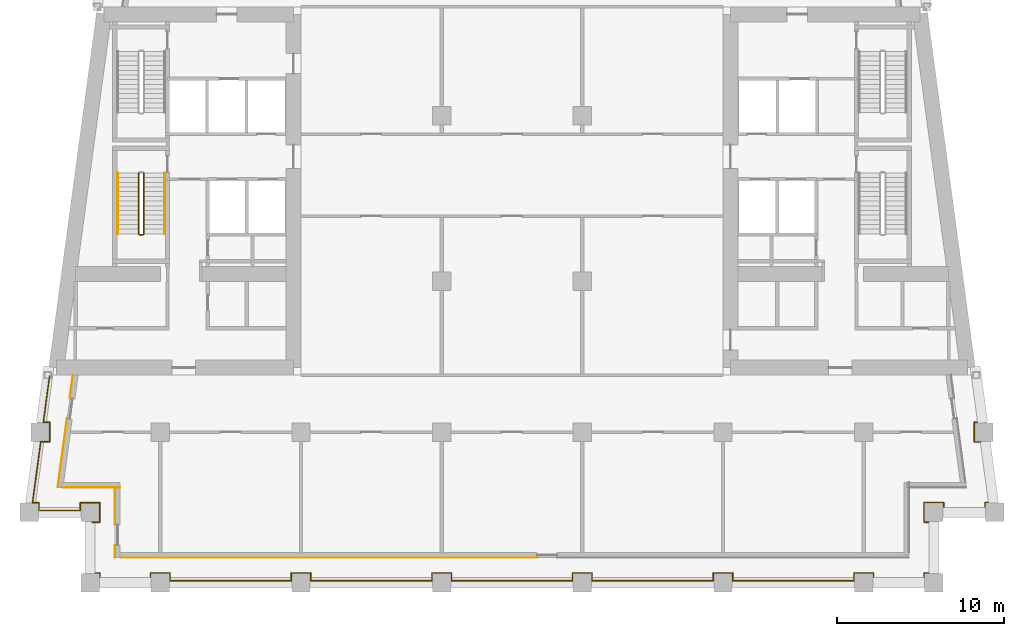
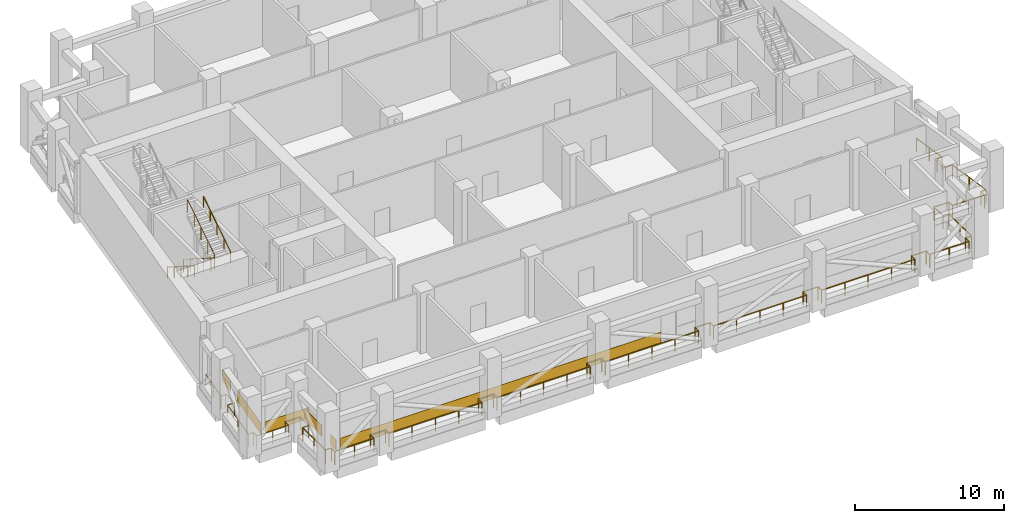
# One storey, part 9 of 12: 6 coverings, 5 railings.
"""IFC4 building model written with IfcOpenShell, lengths in metres."""

from ifc_helpers import new_model, si_unit, direction, frame, origin, origin_2d, place, context, subcontext, project, spatial, rectangle, circle, extrude, material, layer, layer_set, type_object, element, save


model = new_model("IFC4")

# Units and contexts
model_context = context("Model", 3, precision=1e-05, world=origin(), true_north=direction((0.0, 1.0)))
body_context = subcontext(model_context, "Body", "Model", "MODEL_VIEW")
ifc_project = project(units=[si_unit("LENGTHUNIT", "METRE"), si_unit("AREAUNIT", "SQUARE_METRE"), si_unit("VOLUMEUNIT", "CUBIC_METRE"), si_unit("PLANEANGLEUNIT", "RADIAN"), si_unit("MASSUNIT", "GRAM", prefix="KILO")], contexts=[model_context])

# Site, building, storey
site_placement = place(None, origin())
site = spatial("IfcSite", under=ifc_project, at=site_placement, CompositionType="ELEMENT")
building_placement = place(site_placement, origin())
building = spatial("IfcBuilding", under=site, at=building_placement, Name="Candeia Pilgrim Tower and Theatre", CompositionType="ELEMENT")
storey_placement = place(building_placement, frame((0.0, 0.0, 197.199951171875)))
storey = spatial("IfcBuildingStorey", under=building, at=storey_placement, Name="L47", CompositionType="ELEMENT", Elevation=197.199951171875)

# Railings
ifc_material_1 = material(Name="Stainless steel balustrade", Category="steel")
railing_type_1 = type_object("IfcRailingType", Name="G1 loggia guard 1100", PredefinedType="GUARDRAIL", material=ifc_material_1)
railing_1_placement = place(storey_placement, frame((88.320068359375, 101.6201171875, 0.0)))
element("IfcRailing", 1, at=railing_1_placement, inside=storey, type_object=railing_type_1, Name="Guard L47.1", PredefinedType="GUARDRAIL", context=body_context, shape_type="SweptSolid", body=[
    extrude(circle(Radius=0.02392578125, at=origin_2d()), frame((0.0, 0.0, 1.076171875), z_axis=(1.0, 0.0, 0.0), x_axis=(0.0, 1.0, 0.0)), (0.0, 0.0, 1.0), 0.4599609375),
    extrude(circle(Radius=0.02392578125, at=origin_2d()), frame((0.4599609375, 0.0, 1.076171875), z_axis=(0.0, 1.0, 0.0), x_axis=(-1.0, 0.0, 0.0)), (0.0, 0.0, 1.0), 1.159912109375),
    extrude(circle(Radius=0.02392578125, at=origin_2d()), frame((0.4599609375, 1.159912109375, 1.076171875), z_axis=(-1.0, 0.0, 0.0), x_axis=(0.0, -1.0, 0.0)), (0.0, 0.0, 1.0), 1.159912109375),
    extrude(circle(Radius=0.02392578125, at=origin_2d()), frame((-0.699951171875, 1.159912109375, 1.076171875), z_axis=(0.0, -1.0, 0.0), x_axis=(1.0, 0.0, 0.0)), (0.0, 0.0, 1.0), 0.4599609375),
    extrude(circle(Radius=0.02392578125, at=origin_2d()), frame((-0.699951171875, 0.699951171875, 1.076171875), z_axis=(-1.0, 0.0, 0.0), x_axis=(0.0, -1.0, 0.0)), (0.0, 0.0, 1.0), 2.474853515625),
    extrude(circle(Radius=0.02392578125, at=origin_2d()), frame((-3.1748046875, 0.699951171875, 1.076171875), z_axis=(0.0, 1.0, 0.0), x_axis=(-1.0, 0.0, 0.0)), (0.0, 0.0, 1.0), 0.4599609375),
    extrude(circle(Radius=0.02392578125, at=origin_2d()), frame((-3.1748046875, 1.159912109375, 1.076171875), z_axis=(-1.0, 0.0, 0.0), x_axis=(0.0, -1.0, 0.0)), (0.0, 0.0, 1.0), 0.380615234375),
    extrude(circle(Radius=0.02392578125, at=origin_2d()), frame((-3.555419921875, 1.159912109375, 1.076171875), z_axis=(0.133413267734, 0.9910604926, 0.0), x_axis=(-0.9910604926, 0.133413267734, 0.0)), (0.0, 0.0, 1.0), 3.672607421875),
    extrude(circle(Radius=0.02392578125, at=origin_2d()), frame((-3.0654296875, 4.7998046875, 1.076171875), z_axis=(1.0, 0.0, 0.0), x_axis=(0.0, 1.0, 0.0)), (0.0, 0.0, 1.0), 0.536865234375),
    extrude(circle(Radius=0.02392578125, at=origin_2d()), frame((-2.528564453125, 4.7998046875, 1.076171875), z_axis=(0.0, 1.0, 0.0), x_axis=(-1.0, 0.0, 0.0)), (0.0, 0.0, 1.0), 1.16015625),
    extrude(circle(Radius=0.02392578125, at=origin_2d()), frame((-2.528564453125, 5.9599609375, 1.076171875), z_axis=(-1.0, 0.0, 0.0), x_axis=(0.0, -1.0, 0.0)), (0.0, 0.0, 1.0), 0.380859375),
    extrude(circle(Radius=0.02392578125, at=origin_2d()), frame((-2.909423828125, 5.9599609375, 1.076171875), z_axis=(0.133468107709, 0.99105310868, 0.0), x_axis=(-0.99105310868, 0.133468107709, 0.0)), (0.0, 0.0, 1.0), 2.794921875),
    extrude(circle(Radius=0.02099609375, at=origin_2d()), origin(), (0.0, 0.0, 1.0), 1.052001953125),
    extrude(circle(Radius=0.02099609375, at=origin_2d()), frame((0.4599609375, 0.0, 0.0)), (0.0, 0.0, 1.0), 1.052001953125),
    extrude(circle(Radius=0.02099609375, at=origin_2d()), frame((0.4599609375, 1.159912109375, 0.0)), (0.0, 0.0, 1.0), 1.052001953125),
    extrude(circle(Radius=0.02099609375, at=origin_2d()), frame((-0.699951171875, 1.159912109375, 0.0)), (0.0, 0.0, 1.0), 1.052001953125),
    extrude(circle(Radius=0.02099609375, at=origin_2d()), frame((-0.699951171875, 0.699951171875, 0.0)), (0.0, 0.0, 1.0), 1.052001953125),
    extrude(circle(Radius=0.02099609375, at=origin_2d()), frame((-1.9375, 0.699951171875, 0.0)), (0.0, 0.0, 1.0), 1.052001953125),
    extrude(circle(Radius=0.02099609375, at=origin_2d()), frame((-3.1748046875, 0.699951171875, 0.0)), (0.0, 0.0, 1.0), 1.052001953125),
    extrude(circle(Radius=0.02099609375, at=origin_2d()), frame((-3.1748046875, 1.159912109375, 0.0)), (0.0, 0.0, 1.0), 1.052001953125),
    extrude(circle(Radius=0.02099609375, at=origin_2d()), frame((-3.555419921875, 1.159912109375, 0.0)), (0.0, 0.0, 1.0), 1.052001953125),
    extrude(circle(Radius=0.02099609375, at=origin_2d()), frame((-3.310546875, 2.97998046875, 0.0)), (0.0, 0.0, 1.0), 1.052001953125),
    extrude(circle(Radius=0.02099609375, at=origin_2d()), frame((-3.0654296875, 4.7998046875, 0.0)), (0.0, 0.0, 1.0), 1.052001953125),
    extrude(circle(Radius=0.02099609375, at=origin_2d()), frame((-2.528564453125, 4.7998046875, 0.0)), (0.0, 0.0, 1.0), 1.052001953125),
    extrude(circle(Radius=0.02099609375, at=origin_2d()), frame((-2.528564453125, 5.9599609375, 0.0)), (0.0, 0.0, 1.0), 1.052001953125),
    extrude(circle(Radius=0.02099609375, at=origin_2d()), frame((-2.909423828125, 5.9599609375, 0.0)), (0.0, 0.0, 1.0), 1.052001953125),
    extrude(circle(Radius=0.02099609375, at=origin_2d()), frame((-2.722900390625, 7.344970703125, 0.0)), (0.0, 0.0, 1.0), 1.052001953125),
    extrude(circle(Radius=0.02099609375, at=origin_2d()), frame((-2.536376953125, 8.72998046875, 0.0)), (0.0, 0.0, 1.0), 1.052001953125),
])
railing_2_placement = place(storey_placement, frame((141.016357421875, 110.35009765625, 0.0)))
element("IfcRailing", 2, at=railing_2_placement, inside=storey, type_object=railing_type_1, Name="Guard L47.3", PredefinedType="GUARDRAIL", context=body_context, shape_type="SweptSolid", body=[
    extrude(circle(Radius=0.02392578125, at=origin_2d()), frame((0.0, 0.0, 1.076171875), z_axis=(0.133468107709, -0.99105310868, 0.0), x_axis=(0.99105310868, 0.133468107709, 0.0)), (0.0, 0.0, 1.0), 2.794921875),
    extrude(circle(Radius=0.02392578125, at=origin_2d()), frame((0.373046875, -2.77001953125, 1.076171875), z_axis=(-1.0, 0.0, 0.0), x_axis=(0.0, -1.0, 0.0)), (0.0, 0.0, 1.0), 0.380859375),
    extrude(circle(Radius=0.02392578125, at=origin_2d()), frame((-0.0078125, -2.77001953125, 1.076171875), z_axis=(0.0, -1.0, 0.0), x_axis=(1.0, 0.0, 0.0)), (0.0, 0.0, 1.0), 1.16015625),
    extrude(circle(Radius=0.02392578125, at=origin_2d()), frame((-0.0078125, -3.93017578125, 1.076171875), z_axis=(1.0, 0.0, 0.0), x_axis=(0.0, 1.0, 0.0)), (0.0, 0.0, 1.0), 0.536865234375),
    extrude(circle(Radius=0.02392578125, at=origin_2d()), frame((0.529052734375, -3.93017578125, 1.076171875), z_axis=(0.133413267734, -0.9910604926, 0.0), x_axis=(0.9910604926, 0.133413267734, 0.0)), (0.0, 0.0, 1.0), 3.672607421875),
    extrude(circle(Radius=0.02392578125, at=origin_2d()), frame((1.01904296875, -7.570068359375, 1.076171875), z_axis=(-1.0, 0.0, 0.0), x_axis=(0.0, -1.0, 0.0)), (0.0, 0.0, 1.0), 0.380859375),
    extrude(circle(Radius=0.02392578125, at=origin_2d()), frame((0.63818359375, -7.570068359375, 1.076171875), z_axis=(0.0, -1.0, 0.0), x_axis=(1.0, 0.0, 0.0)), (0.0, 0.0, 1.0), 0.4599609375),
    extrude(circle(Radius=0.02392578125, at=origin_2d()), frame((0.63818359375, -8.030029296875, 1.076171875), z_axis=(-1.0, 0.0, 0.0), x_axis=(0.0, -1.0, 0.0)), (0.0, 0.0, 1.0), 2.474609375),
    extrude(circle(Radius=0.02392578125, at=origin_2d()), frame((-1.83642578125, -8.030029296875, 1.076171875), z_axis=(0.0, 1.0, 0.0), x_axis=(-1.0, 0.0, 0.0)), (0.0, 0.0, 1.0), 0.4599609375),
    extrude(circle(Radius=0.02392578125, at=origin_2d()), frame((-1.83642578125, -7.570068359375, 1.076171875), z_axis=(-1.0, 0.0, 0.0), x_axis=(0.0, -1.0, 0.0)), (0.0, 0.0, 1.0), 1.159912109375),
    extrude(circle(Radius=0.02392578125, at=origin_2d()), frame((-2.996337890625, -7.570068359375, 1.076171875), z_axis=(0.0, -1.0, 0.0), x_axis=(1.0, 0.0, 0.0)), (0.0, 0.0, 1.0), 1.159912109375),
    extrude(circle(Radius=0.02392578125, at=origin_2d()), frame((-2.996337890625, -8.72998046875, 1.076171875), z_axis=(1.0, 0.0, 0.0), x_axis=(0.0, 1.0, 0.0)), (0.0, 0.0, 1.0), 0.4599609375),
    extrude(circle(Radius=0.02392578125, at=origin_2d()), frame((-2.536376953125, -8.72998046875, 1.076171875), z_axis=(0.0, -1.0, 0.0), x_axis=(1.0, 0.0, 0.0)), (0.0, 0.0, 1.0), 3.0400390625),
    extrude(circle(Radius=0.02392578125, at=origin_2d()), frame((-2.536376953125, -11.77001953125, 1.076171875), z_axis=(-1.0, 0.0, 0.0), x_axis=(0.0, -1.0, 0.0)), (0.0, 0.0, 1.0), 0.4599609375),
    extrude(circle(Radius=0.02392578125, at=origin_2d()), frame((-2.996337890625, -11.77001953125, 1.076171875), z_axis=(0.0, -1.0, 0.0), x_axis=(1.0, 0.0, 0.0)), (0.0, 0.0, 1.0), 0.4599609375),
    extrude(circle(Radius=0.02392578125, at=origin_2d()), frame((-2.996337890625, -12.22998046875, 1.076171875), z_axis=(-1.0, 0.0, 0.0), x_axis=(0.0, -1.0, 0.0)), (0.0, 0.0, 1.0), 3.0400390625),
    extrude(circle(Radius=0.02392578125, at=origin_2d()), frame((-6.036376953125, -12.22998046875, 1.076171875), z_axis=(0.0, 1.0, 0.0), x_axis=(-1.0, 0.0, 0.0)), (0.0, 0.0, 1.0), 0.4599609375),
    extrude(circle(Radius=0.02392578125, at=origin_2d()), frame((-6.036376953125, -11.77001953125, 1.076171875), z_axis=(-1.0, 0.0, 0.0), x_axis=(0.0, -1.0, 0.0)), (0.0, 0.0, 1.0), 1.159912109375),
    extrude(circle(Radius=0.02392578125, at=origin_2d()), frame((-7.1962890625, -11.77001953125, 1.076171875), z_axis=(0.0, -1.0, 0.0), x_axis=(1.0, 0.0, 0.0)), (0.0, 0.0, 1.0), 0.4599609375),
    extrude(circle(Radius=0.02392578125, at=origin_2d()), frame((-7.1962890625, -12.22998046875, 1.076171875), z_axis=(-1.0, 0.0, 0.0), x_axis=(0.0, -1.0, 0.0)), (0.0, 0.0, 1.0), 7.239990234375),
    extrude(circle(Radius=0.02392578125, at=origin_2d()), frame((-14.436279296875, -12.22998046875, 1.076171875), z_axis=(0.0, 1.0, 0.0), x_axis=(-1.0, 0.0, 0.0)), (0.0, 0.0, 1.0), 0.4599609375),
    extrude(circle(Radius=0.02392578125, at=origin_2d()), frame((-14.436279296875, -11.77001953125, 1.076171875), z_axis=(-1.0, 0.0, 0.0), x_axis=(0.0, -1.0, 0.0)), (0.0, 0.0, 1.0), 1.16015625),
    extrude(circle(Radius=0.02392578125, at=origin_2d()), frame((-15.596435546875, -11.77001953125, 1.076171875), z_axis=(0.0, -1.0, 0.0), x_axis=(1.0, 0.0, 0.0)), (0.0, 0.0, 1.0), 0.4599609375),
    extrude(circle(Radius=0.02392578125, at=origin_2d()), frame((-15.596435546875, -12.22998046875, 1.076171875), z_axis=(-1.0, 0.0, 0.0), x_axis=(0.0, -1.0, 0.0)), (0.0, 0.0, 1.0), 7.239990234375),
    extrude(circle(Radius=0.02392578125, at=origin_2d()), frame((-22.83642578125, -12.22998046875, 1.076171875), z_axis=(0.0, 1.0, 0.0), x_axis=(-1.0, 0.0, 0.0)), (0.0, 0.0, 1.0), 0.4599609375),
    extrude(circle(Radius=0.02392578125, at=origin_2d()), frame((-22.83642578125, -11.77001953125, 1.076171875), z_axis=(-1.0, 0.0, 0.0), x_axis=(0.0, -1.0, 0.0)), (0.0, 0.0, 1.0), 1.159912109375),
    extrude(circle(Radius=0.02392578125, at=origin_2d()), frame((-23.996337890625, -11.77001953125, 1.076171875), z_axis=(0.0, -1.0, 0.0), x_axis=(1.0, 0.0, 0.0)), (0.0, 0.0, 1.0), 0.4599609375),
    extrude(circle(Radius=0.02392578125, at=origin_2d()), frame((-23.996337890625, -12.22998046875, 1.076171875), z_axis=(-1.0, 0.0, 0.0), x_axis=(0.0, -1.0, 0.0)), (0.0, 0.0, 1.0), 7.239990234375),
    extrude(circle(Radius=0.02392578125, at=origin_2d()), frame((-31.236328125, -12.22998046875, 1.076171875), z_axis=(0.0, 1.0, 0.0), x_axis=(-1.0, 0.0, 0.0)), (0.0, 0.0, 1.0), 0.4599609375),
    extrude(circle(Radius=0.02392578125, at=origin_2d()), frame((-31.236328125, -11.77001953125, 1.076171875), z_axis=(-1.0, 0.0, 0.0), x_axis=(0.0, -1.0, 0.0)), (0.0, 0.0, 1.0), 1.159912109375),
    extrude(circle(Radius=0.02392578125, at=origin_2d()), frame((-32.396240234375, -11.77001953125, 1.076171875), z_axis=(0.0, -1.0, 0.0), x_axis=(1.0, 0.0, 0.0)), (0.0, 0.0, 1.0), 0.4599609375),
    extrude(circle(Radius=0.02392578125, at=origin_2d()), frame((-32.396240234375, -12.22998046875, 1.076171875), z_axis=(-1.0, 0.0, 0.0), x_axis=(0.0, -1.0, 0.0)), (0.0, 0.0, 1.0), 7.240234375),
    extrude(circle(Radius=0.02392578125, at=origin_2d()), frame((-39.636474609375, -12.22998046875, 1.076171875), z_axis=(0.0, 1.0, 0.0), x_axis=(-1.0, 0.0, 0.0)), (0.0, 0.0, 1.0), 0.4599609375),
    extrude(circle(Radius=0.02392578125, at=origin_2d()), frame((-39.636474609375, -11.77001953125, 1.076171875), z_axis=(-1.0, 0.0, 0.0), x_axis=(0.0, -1.0, 0.0)), (0.0, 0.0, 1.0), 1.159912109375),
    extrude(circle(Radius=0.02392578125, at=origin_2d()), frame((-40.79638671875, -11.77001953125, 1.076171875), z_axis=(0.0, -1.0, 0.0), x_axis=(1.0, 0.0, 0.0)), (0.0, 0.0, 1.0), 0.4599609375),
    extrude(circle(Radius=0.02392578125, at=origin_2d()), frame((-40.79638671875, -12.22998046875, 1.076171875), z_axis=(-1.0, 0.0, 0.0), x_axis=(0.0, -1.0, 0.0)), (0.0, 0.0, 1.0), 7.239990234375),
    extrude(circle(Radius=0.02392578125, at=origin_2d()), frame((-48.036376953125, -12.22998046875, 1.076171875), z_axis=(0.0, 1.0, 0.0), x_axis=(-1.0, 0.0, 0.0)), (0.0, 0.0, 1.0), 0.4599609375),
    extrude(circle(Radius=0.02392578125, at=origin_2d()), frame((-48.036376953125, -11.77001953125, 1.076171875), z_axis=(-1.0, 0.0, 0.0), x_axis=(0.0, -1.0, 0.0)), (0.0, 0.0, 1.0), 1.159912109375),
    extrude(circle(Radius=0.02392578125, at=origin_2d()), frame((-49.1962890625, -11.77001953125, 1.076171875), z_axis=(0.0, -1.0, 0.0), x_axis=(1.0, 0.0, 0.0)), (0.0, 0.0, 1.0), 0.4599609375),
    extrude(circle(Radius=0.02392578125, at=origin_2d()), frame((-49.1962890625, -12.22998046875, 1.076171875), z_axis=(-1.0, 0.0, 0.0), x_axis=(0.0, -1.0, 0.0)), (0.0, 0.0, 1.0), 3.0400390625),
    extrude(circle(Radius=0.02392578125, at=origin_2d()), frame((-52.236328125, -12.22998046875, 1.076171875), z_axis=(0.0, 1.0, 0.0), x_axis=(-1.0, 0.0, 0.0)), (0.0, 0.0, 1.0), 0.4599609375),
    extrude(circle(Radius=0.02392578125, at=origin_2d()), frame((-52.236328125, -11.77001953125, 1.076171875), z_axis=(-1.0, 0.0, 0.0), x_axis=(0.0, -1.0, 0.0)), (0.0, 0.0, 1.0), 0.4599609375),
    extrude(circle(Radius=0.02392578125, at=origin_2d()), frame((-52.6962890625, -11.77001953125, 1.076171875), z_axis=(0.0, 1.0, 0.0), x_axis=(-1.0, 0.0, 0.0)), (0.0, 0.0, 1.0), 3.0400390625),
    extrude(circle(Radius=0.02099609375, at=origin_2d()), origin(), (0.0, 0.0, 1.0), 1.052001953125),
    extrude(circle(Radius=0.02099609375, at=origin_2d()), frame((0.1865234375, -1.385009765625, 0.0)), (0.0, 0.0, 1.0), 1.052001953125),
    extrude(circle(Radius=0.02099609375, at=origin_2d()), frame((0.373046875, -2.77001953125, 0.0)), (0.0, 0.0, 1.0), 1.052001953125),
    extrude(circle(Radius=0.02099609375, at=origin_2d()), frame((-0.0078125, -2.77001953125, 0.0)), (0.0, 0.0, 1.0), 1.052001953125),
    extrude(circle(Radius=0.02099609375, at=origin_2d()), frame((-0.0078125, -3.93017578125, 0.0)), (0.0, 0.0, 1.0), 1.052001953125),
    extrude(circle(Radius=0.02099609375, at=origin_2d()), frame((0.529052734375, -3.93017578125, 0.0)), (0.0, 0.0, 1.0), 1.052001953125),
    extrude(circle(Radius=0.02099609375, at=origin_2d()), frame((0.77392578125, -5.75, 0.0)), (0.0, 0.0, 1.0), 1.052001953125),
    extrude(circle(Radius=0.02099609375, at=origin_2d()), frame((1.01904296875, -7.570068359375, 0.0)), (0.0, 0.0, 1.0), 1.052001953125),
    extrude(circle(Radius=0.02099609375, at=origin_2d()), frame((0.63818359375, -7.570068359375, 0.0)), (0.0, 0.0, 1.0), 1.052001953125),
    extrude(circle(Radius=0.02099609375, at=origin_2d()), frame((0.63818359375, -8.030029296875, 0.0)), (0.0, 0.0, 1.0), 1.052001953125),
    extrude(circle(Radius=0.02099609375, at=origin_2d()), frame((-0.59912109375, -8.030029296875, 0.0)), (0.0, 0.0, 1.0), 1.052001953125),
    extrude(circle(Radius=0.02099609375, at=origin_2d()), frame((-1.83642578125, -8.030029296875, 0.0)), (0.0, 0.0, 1.0), 1.052001953125),
    extrude(circle(Radius=0.02099609375, at=origin_2d()), frame((-1.83642578125, -7.570068359375, 0.0)), (0.0, 0.0, 1.0), 1.052001953125),
    extrude(circle(Radius=0.02099609375, at=origin_2d()), frame((-2.996337890625, -7.570068359375, 0.0)), (0.0, 0.0, 1.0), 1.052001953125),
    extrude(circle(Radius=0.02099609375, at=origin_2d()), frame((-2.996337890625, -8.72998046875, 0.0)), (0.0, 0.0, 1.0), 1.052001953125),
    extrude(circle(Radius=0.02099609375, at=origin_2d()), frame((-2.536376953125, -8.72998046875, 0.0)), (0.0, 0.0, 1.0), 1.052001953125),
    extrude(circle(Radius=0.02099609375, at=origin_2d()), frame((-2.536376953125, -10.25, 0.0)), (0.0, 0.0, 1.0), 1.052001953125),
    extrude(circle(Radius=0.02099609375, at=origin_2d()), frame((-2.536376953125, -11.77001953125, 0.0)), (0.0, 0.0, 1.0), 1.052001953125),
    extrude(circle(Radius=0.02099609375, at=origin_2d()), frame((-2.996337890625, -11.77001953125, 0.0)), (0.0, 0.0, 1.0), 1.052001953125),
    extrude(circle(Radius=0.02099609375, at=origin_2d()), frame((-2.996337890625, -12.22998046875, 0.0)), (0.0, 0.0, 1.0), 1.052001953125),
    extrude(circle(Radius=0.02099609375, at=origin_2d()), frame((-4.516357421875, -12.22998046875, 0.0)), (0.0, 0.0, 1.0), 1.052001953125),
    extrude(circle(Radius=0.02099609375, at=origin_2d()), frame((-6.036376953125, -12.22998046875, 0.0)), (0.0, 0.0, 1.0), 1.052001953125),
    extrude(circle(Radius=0.02099609375, at=origin_2d()), frame((-6.036376953125, -11.77001953125, 0.0)), (0.0, 0.0, 1.0), 1.052001953125),
    extrude(circle(Radius=0.02099609375, at=origin_2d()), frame((-7.1962890625, -11.77001953125, 0.0)), (0.0, 0.0, 1.0), 1.052001953125),
    extrude(circle(Radius=0.02099609375, at=origin_2d()), frame((-7.1962890625, -12.22998046875, 0.0)), (0.0, 0.0, 1.0), 1.052001953125),
    extrude(circle(Radius=0.02099609375, at=origin_2d()), frame((-9.00634765625, -12.22998046875, 0.0)), (0.0, 0.0, 1.0), 1.052001953125),
    extrude(circle(Radius=0.02099609375, at=origin_2d()), frame((-10.81640625, -12.22998046875, 0.0)), (0.0, 0.0, 1.0), 1.052001953125),
    extrude(circle(Radius=0.02099609375, at=origin_2d()), frame((-12.626220703125, -12.22998046875, 0.0)), (0.0, 0.0, 1.0), 1.052001953125),
    extrude(circle(Radius=0.02099609375, at=origin_2d()), frame((-14.436279296875, -12.22998046875, 0.0)), (0.0, 0.0, 1.0), 1.052001953125),
    extrude(circle(Radius=0.02099609375, at=origin_2d()), frame((-14.436279296875, -11.77001953125, 0.0)), (0.0, 0.0, 1.0), 1.052001953125),
    extrude(circle(Radius=0.02099609375, at=origin_2d()), frame((-15.596435546875, -11.77001953125, 0.0)), (0.0, 0.0, 1.0), 1.052001953125),
    extrude(circle(Radius=0.02099609375, at=origin_2d()), frame((-15.596435546875, -12.22998046875, 0.0)), (0.0, 0.0, 1.0), 1.052001953125),
    extrude(circle(Radius=0.02099609375, at=origin_2d()), frame((-17.406494140625, -12.22998046875, 0.0)), (0.0, 0.0, 1.0), 1.052001953125),
    extrude(circle(Radius=0.02099609375, at=origin_2d()), frame((-19.21630859375, -12.22998046875, 0.0)), (0.0, 0.0, 1.0), 1.052001953125),
    extrude(circle(Radius=0.02099609375, at=origin_2d()), frame((-21.0263671875, -12.22998046875, 0.0)), (0.0, 0.0, 1.0), 1.052001953125),
    extrude(circle(Radius=0.02099609375, at=origin_2d()), frame((-22.83642578125, -12.22998046875, 0.0)), (0.0, 0.0, 1.0), 1.052001953125),
    extrude(circle(Radius=0.02099609375, at=origin_2d()), frame((-22.83642578125, -11.77001953125, 0.0)), (0.0, 0.0, 1.0), 1.052001953125),
    extrude(circle(Radius=0.02099609375, at=origin_2d()), frame((-23.996337890625, -11.77001953125, 0.0)), (0.0, 0.0, 1.0), 1.052001953125),
    extrude(circle(Radius=0.02099609375, at=origin_2d()), frame((-23.996337890625, -12.22998046875, 0.0)), (0.0, 0.0, 1.0), 1.052001953125),
    extrude(circle(Radius=0.02099609375, at=origin_2d()), frame((-25.806396484375, -12.22998046875, 0.0)), (0.0, 0.0, 1.0), 1.052001953125),
    extrude(circle(Radius=0.02099609375, at=origin_2d()), frame((-27.6162109375, -12.22998046875, 0.0)), (0.0, 0.0, 1.0), 1.052001953125),
    extrude(circle(Radius=0.02099609375, at=origin_2d()), frame((-29.42626953125, -12.22998046875, 0.0)), (0.0, 0.0, 1.0), 1.052001953125),
    extrude(circle(Radius=0.02099609375, at=origin_2d()), frame((-31.236328125, -12.22998046875, 0.0)), (0.0, 0.0, 1.0), 1.052001953125),
    extrude(circle(Radius=0.02099609375, at=origin_2d()), frame((-31.236328125, -11.77001953125, 0.0)), (0.0, 0.0, 1.0), 1.052001953125),
    extrude(circle(Radius=0.02099609375, at=origin_2d()), frame((-32.396240234375, -11.77001953125, 0.0)), (0.0, 0.0, 1.0), 1.052001953125),
    extrude(circle(Radius=0.02099609375, at=origin_2d()), frame((-32.396240234375, -12.22998046875, 0.0)), (0.0, 0.0, 1.0), 1.052001953125),
    extrude(circle(Radius=0.02099609375, at=origin_2d()), frame((-34.206298828125, -12.22998046875, 0.0)), (0.0, 0.0, 1.0), 1.052001953125),
    extrude(circle(Radius=0.02099609375, at=origin_2d()), frame((-36.016357421875, -12.22998046875, 0.0)), (0.0, 0.0, 1.0), 1.052001953125),
    extrude(circle(Radius=0.02099609375, at=origin_2d()), frame((-37.826416015625, -12.22998046875, 0.0)), (0.0, 0.0, 1.0), 1.052001953125),
    extrude(circle(Radius=0.02099609375, at=origin_2d()), frame((-39.636474609375, -12.22998046875, 0.0)), (0.0, 0.0, 1.0), 1.052001953125),
    extrude(circle(Radius=0.02099609375, at=origin_2d()), frame((-39.636474609375, -11.77001953125, 0.0)), (0.0, 0.0, 1.0), 1.052001953125),
    extrude(circle(Radius=0.02099609375, at=origin_2d()), frame((-40.79638671875, -11.77001953125, 0.0)), (0.0, 0.0, 1.0), 1.052001953125),
    extrude(circle(Radius=0.02099609375, at=origin_2d()), frame((-40.79638671875, -12.22998046875, 0.0)), (0.0, 0.0, 1.0), 1.052001953125),
    extrude(circle(Radius=0.02099609375, at=origin_2d()), frame((-42.6064453125, -12.22998046875, 0.0)), (0.0, 0.0, 1.0), 1.052001953125),
    extrude(circle(Radius=0.02099609375, at=origin_2d()), frame((-44.41650390625, -12.22998046875, 0.0)), (0.0, 0.0, 1.0), 1.052001953125),
    extrude(circle(Radius=0.02099609375, at=origin_2d()), frame((-46.226318359375, -12.22998046875, 0.0)), (0.0, 0.0, 1.0), 1.052001953125),
    extrude(circle(Radius=0.02099609375, at=origin_2d()), frame((-48.036376953125, -12.22998046875, 0.0)), (0.0, 0.0, 1.0), 1.052001953125),
    extrude(circle(Radius=0.02099609375, at=origin_2d()), frame((-48.036376953125, -11.77001953125, 0.0)), (0.0, 0.0, 1.0), 1.052001953125),
    extrude(circle(Radius=0.02099609375, at=origin_2d()), frame((-49.1962890625, -11.77001953125, 0.0)), (0.0, 0.0, 1.0), 1.052001953125),
    extrude(circle(Radius=0.02099609375, at=origin_2d()), frame((-49.1962890625, -12.22998046875, 0.0)), (0.0, 0.0, 1.0), 1.052001953125),
    extrude(circle(Radius=0.02099609375, at=origin_2d()), frame((-50.71630859375, -12.22998046875, 0.0)), (0.0, 0.0, 1.0), 1.052001953125),
    extrude(circle(Radius=0.02099609375, at=origin_2d()), frame((-52.236328125, -12.22998046875, 0.0)), (0.0, 0.0, 1.0), 1.052001953125),
    extrude(circle(Radius=0.02099609375, at=origin_2d()), frame((-52.236328125, -11.77001953125, 0.0)), (0.0, 0.0, 1.0), 1.052001953125),
    extrude(circle(Radius=0.02099609375, at=origin_2d()), frame((-52.6962890625, -11.77001953125, 0.0)), (0.0, 0.0, 1.0), 1.052001953125),
    extrude(circle(Radius=0.02099609375, at=origin_2d()), frame((-52.6962890625, -10.25, 0.0)), (0.0, 0.0, 1.0), 1.052001953125),
    extrude(circle(Radius=0.02099609375, at=origin_2d()), frame((-52.6962890625, -8.72998046875, 0.0)), (0.0, 0.0, 1.0), 1.052001953125),
])

# Coverings
ifc_material_2 = material(Name="Glazed ceramic tile bottle green")
ifc_layer = layer(ifc_material_2, 0.02001953125)
ifc_layer_set = layer_set([ifc_layer], Name="Glazed ceramic tile bottle green")
covering_type = type_object("IfcCoveringType", Name="Glazed ceramic tile bottle green", PredefinedType="CLADDING", material=ifc_layer_set)
covering_1_placement = place(storey_placement, frame((102.4599609375, 99.489990234375, 0.0), z_axis=(0.0, 0.0, 1.0), x_axis=(1.0, 0.0, 0.0)))
element("IfcCovering", 3, at=covering_1_placement, inside=storey, type_object=covering_type, Name="Tile cladding bottle green L47", PredefinedType="CLADDING", context=body_context, shape_type="SweptSolid", body=[
    extrude(rectangle(XDim=24.8798828125, YDim=0.02001953125, at=origin_2d()), origin(), (0.0, 0.0, 1.0), 0.89990234375),
])
covering_2_placement = place(storey_placement, frame((87.0810546875, 109.71875, 0.0), z_axis=(0.0, 0.0, 1.0), x_axis=(-0.133412012145, -0.991060661622, 0.0)))
element("IfcCovering", 4, at=covering_2_placement, inside=storey, type_object=covering_type, Name="Tile cladding bottle green L47", PredefinedType="CLADDING", context=body_context, shape_type="SweptSolid", body=[
    extrude(rectangle(XDim=1.41796875, YDim=0.02001953125, at=origin_2d()), origin(), (0.0, 0.0, 1.0), 0.89990234375),
])
covering_3_placement = place(storey_placement, frame((86.548583984375, 105.763916015625, 0.0), z_axis=(0.0, 0.0, 1.0), x_axis=(-0.133412012145, -0.991060661622, 0.0)))
element("IfcCovering", 5, at=covering_3_placement, inside=storey, type_object=covering_type, Name="Tile cladding bottle green L47", PredefinedType="CLADDING", context=body_context, shape_type="SweptSolid", body=[
    extrude(rectangle(XDim=4.16259765625, YDim=0.02001953125, at=origin_2d()), origin(), (0.0, 0.0, 1.0), 0.89990234375),
])
covering_4_placement = place(storey_placement, frame((88.311279296875, 103.68994140625, 0.0), z_axis=(0.0, 0.0, 1.0), x_axis=(1.0, 0.0, 0.0)))
element("IfcCovering", 6, at=covering_4_placement, inside=storey, type_object=covering_type, Name="Tile cladding bottle green L47", PredefinedType="CLADDING", context=body_context, shape_type="SweptSolid", body=[
    extrude(rectangle(XDim=3.377685546875, YDim=0.02001953125, at=origin_2d()), origin(), (0.0, 0.0, 1.0), 0.89990234375),
])
covering_5_placement = place(storey_placement, frame((89.68994140625, 102.56494140625, 0.0), z_axis=(0.0, 0.0, 1.0), x_axis=(0.0, -1.0, 0.0)))
element("IfcCovering", 7, at=covering_5_placement, inside=storey, type_object=covering_type, Name="Tile cladding bottle green L47", PredefinedType="CLADDING", context=body_context, shape_type="SweptSolid", body=[
    extrude(rectangle(XDim=2.22998046875, YDim=0.02001953125, at=origin_2d()), origin(), (0.0, 0.0, 1.0), 0.89990234375),
])
covering_6_placement = place(storey_placement, frame((89.68994140625, 99.875, 0.0), z_axis=(0.0, 0.0, 1.0), x_axis=(0.0, -1.0, 0.0)))
element("IfcCovering", 8, at=covering_6_placement, inside=storey, type_object=covering_type, Name="Tile cladding bottle green L47", PredefinedType="CLADDING", context=body_context, shape_type="SweptSolid", body=[
    extrude(rectangle(XDim=0.75, YDim=0.02001953125, at=origin_2d()), origin(), (0.0, 0.0, 1.0), 0.89990234375),
])

# Railings
railing_type_2 = type_object("IfcRailingType", Name="RL-GUARD-1100", PredefinedType="GUARDRAIL", material=ifc_material_1)
railing_3_placement = place(storey_placement, frame((91.10205078125, 122.47509765625, 0.1787109375)))
element("IfcRailing", 9, at=railing_3_placement, inside=storey, type_object=railing_type_2, Name="L47 ST1 stair guard 1", PredefinedType="GUARDRAIL", context=body_context, shape_type="SweptSolid", body=[
    extrude(circle(Radius=0.02392578125, at=origin_2d()), frame((0.0, 0.0, 1.076171875), z_axis=(0.0, -0.843153495434, 0.537672933239), x_axis=(1.0, 0.0, 0.0)), (0.0, 0.0, 1.0), 4.3173828125),
    extrude(circle(Radius=0.02392578125, at=origin_2d()), frame((0.0, -3.64013671875, 3.3974609375), z_axis=(0.707106781187, -0.707106781187, 0.0), x_axis=(0.707106781187, 0.707106781187, 0.0)), (0.0, 0.0, 1.0), 0.07080078125),
    extrude(circle(Radius=0.02392578125, at=origin_2d()), frame((0.050048828125, -3.690185546875, 3.3974609375), z_axis=(1.0, 0.0, 0.0), x_axis=(0.0, 1.0, 0.0)), (0.0, 0.0, 1.0), 0.199951171875),
    extrude(circle(Radius=0.02392578125, at=origin_2d()), frame((0.25, -3.690185546875, 3.3974609375), z_axis=(0.260376719329, 0.260376719329, 0.929735407556), x_axis=(-0.707106781187, 0.707106781187, 0.0)), (0.0, 0.0, 1.0), 0.192138671875),
    extrude(circle(Radius=0.02392578125, at=origin_2d()), frame((0.300048828125, -3.64013671875, 3.576171875), z_axis=(0.0, 0.843153495434, 0.537672933239), x_axis=(-1.0, 0.0, 0.0)), (0.0, 0.0, 1.0), 4.3173828125),
    extrude(circle(Radius=0.02099609375, at=origin_2d()), origin(), (0.0, 0.0, 1.0), 1.052001953125),
    extrude(circle(Radius=0.02099609375, at=origin_2d()), frame((0.0, -0.91015625, 0.580322265625)), (0.0, 0.0, 1.0), 1.052001953125),
    extrude(circle(Radius=0.02099609375, at=origin_2d()), frame((0.0, -1.820068359375, 1.16064453125)), (0.0, 0.0, 1.0), 1.052001953125),
    extrude(circle(Radius=0.02099609375, at=origin_2d()), frame((0.0, -2.72998046875, 1.740966796875)), (0.0, 0.0, 1.0), 1.052001953125),
    extrude(circle(Radius=0.02099609375, at=origin_2d()), frame((0.0, -3.64013671875, 2.3212890625)), (0.0, 0.0, 1.0), 1.052001953125),
    extrude(circle(Radius=0.02099609375, at=origin_2d()), frame((0.050048828125, -3.690185546875, 2.3212890625)), (0.0, 0.0, 1.0), 1.052001953125),
    extrude(circle(Radius=0.02099609375, at=origin_2d()), frame((0.25, -3.690185546875, 2.3212890625)), (0.0, 0.0, 1.0), 1.052001953125),
    extrude(circle(Radius=0.02099609375, at=origin_2d()), frame((0.300048828125, -3.64013671875, 2.5)), (0.0, 0.0, 1.0), 1.052001953125),
    extrude(circle(Radius=0.02099609375, at=origin_2d()), frame((0.300048828125, -2.72998046875, 3.080322265625)), (0.0, 0.0, 1.0), 1.052001953125),
    extrude(circle(Radius=0.02099609375, at=origin_2d()), frame((0.300048828125, -1.820068359375, 3.66064453125)), (0.0, 0.0, 1.0), 1.052001953125),
    extrude(circle(Radius=0.02099609375, at=origin_2d()), frame((0.300048828125, -0.91015625, 4.240966796875)), (0.0, 0.0, 1.0), 1.052001953125),
    extrude(circle(Radius=0.02099609375, at=origin_2d()), frame((0.300048828125, 0.0, 4.8212890625)), (0.0, 0.0, 1.0), 1.052001953125),
])
ifc_material_3 = material(Name="Stainless steel handrail", Category="steel")
railing_type_3 = type_object("IfcRailingType", Name="RL-HANDRAIL-900", PredefinedType="HANDRAIL", material=ifc_material_3)
railing_4_placement = place(storey_placement, frame((89.85205078125, 122.47509765625, 0.1787109375)))
element("IfcRailing", 10, at=railing_4_placement, inside=storey, type_object=railing_type_3, Name="L47 ST1 stair handrail 1", PredefinedType="HANDRAIL", context=body_context, shape_type="SweptSolid", body=[
    extrude(circle(Radius=0.02392578125, at=origin_2d()), frame((0.0, 0.0, 0.8759765625), z_axis=(0.0, -0.843153495434, 0.537672933239), x_axis=(1.0, 0.0, 0.0)), (0.0, 0.0, 1.0), 4.3173828125),
    extrude(circle(Radius=0.02099609375, at=origin_2d()), origin(), (0.0, 0.0, 1.0), 0.851806640625),
    extrude(circle(Radius=0.02099609375, at=origin_2d()), frame((0.0, -0.91015625, 0.580322265625)), (0.0, 0.0, 1.0), 0.851806640625),
    extrude(circle(Radius=0.02099609375, at=origin_2d()), frame((0.0, -1.820068359375, 1.16064453125)), (0.0, 0.0, 1.0), 0.851806640625),
    extrude(circle(Radius=0.02099609375, at=origin_2d()), frame((0.0, -2.72998046875, 1.740966796875)), (0.0, 0.0, 1.0), 0.851806640625),
    extrude(circle(Radius=0.02099609375, at=origin_2d()), frame((0.0, -3.64013671875, 2.3212890625)), (0.0, 0.0, 1.0), 0.851806640625),
])
railing_5_placement = place(storey_placement, frame((92.652099609375, 118.8349609375, 2.6787109375)))
element("IfcRailing", 11, at=railing_5_placement, inside=storey, type_object=railing_type_3, Name="L47 ST1 stair handrail 2", PredefinedType="HANDRAIL", context=body_context, shape_type="SweptSolid", body=[
    extrude(circle(Radius=0.02392578125, at=origin_2d()), frame((0.0, 0.0, 0.8759765625), z_axis=(0.0, 0.843153495434, 0.537672933239), x_axis=(-1.0, 0.0, 0.0)), (0.0, 0.0, 1.0), 4.3173828125),
    extrude(circle(Radius=0.02099609375, at=origin_2d()), origin(), (0.0, 0.0, 1.0), 0.851806640625),
    extrude(circle(Radius=0.02099609375, at=origin_2d()), frame((0.0, 0.91015625, 0.580322265625)), (0.0, 0.0, 1.0), 0.851806640625),
    extrude(circle(Radius=0.02099609375, at=origin_2d()), frame((0.0, 1.820068359375, 1.16064453125)), (0.0, 0.0, 1.0), 0.851806640625),
    extrude(circle(Radius=0.02099609375, at=origin_2d()), frame((0.0, 2.72998046875, 1.740966796875)), (0.0, 0.0, 1.0), 0.851806640625),
    extrude(circle(Radius=0.02099609375, at=origin_2d()), frame((0.0, 3.64013671875, 2.3212890625)), (0.0, 0.0, 1.0), 0.851806640625),
])

save(model, "model.ifc")
